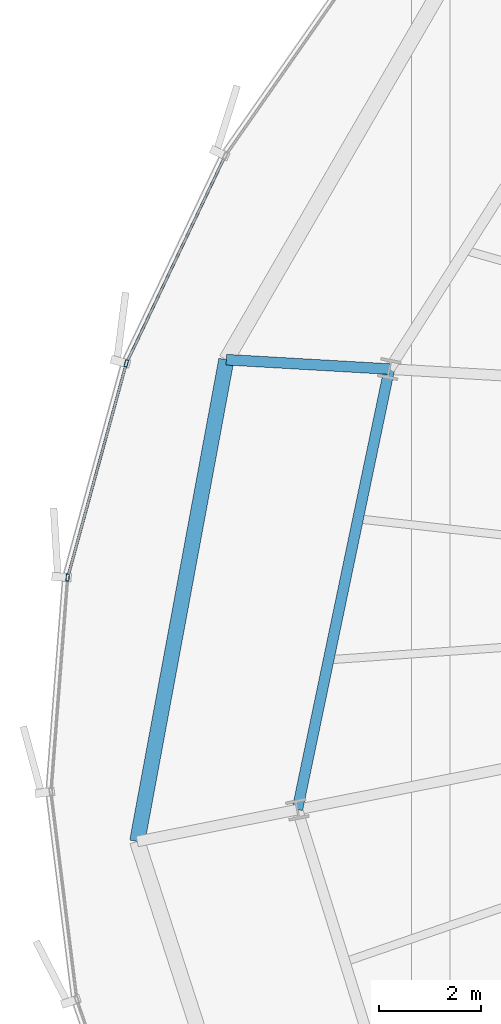
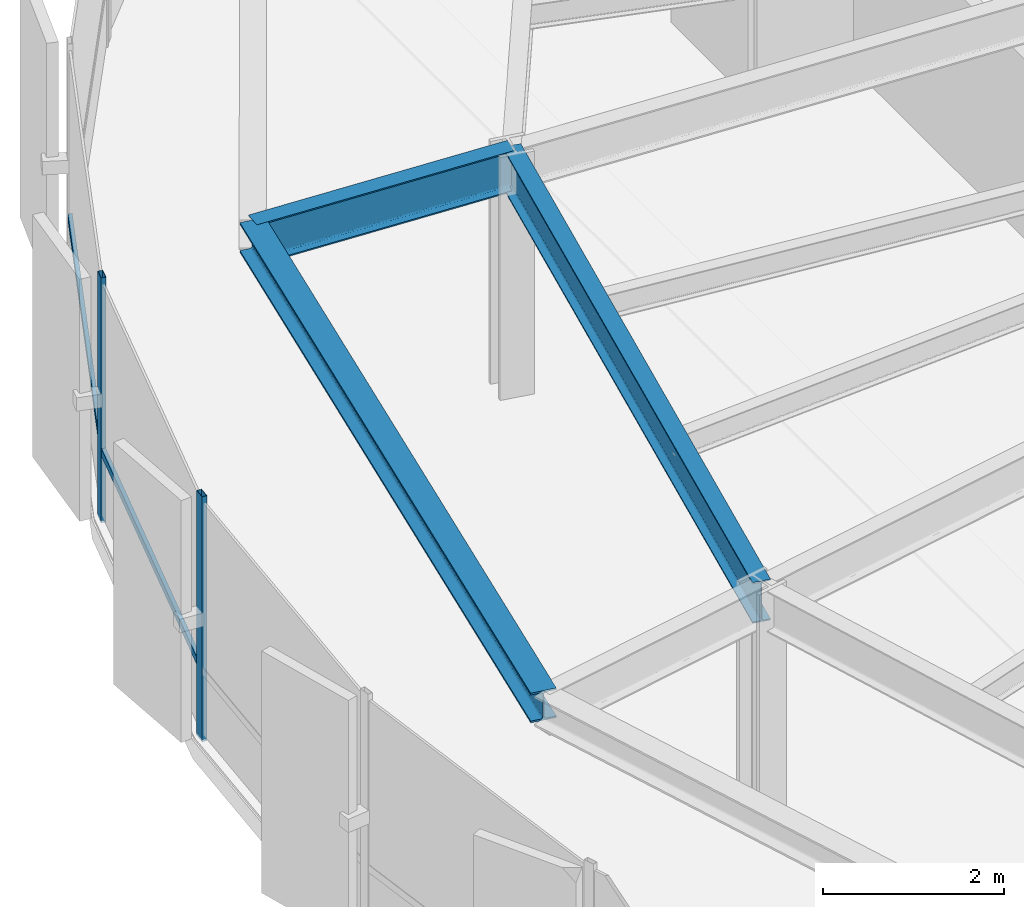
# One storey, part 10 of 35: 4 members, 3 beams, 1 element without a shape of its own.
"""IFC4 building model written with IfcOpenShell, lengths in metres."""

from ifc_helpers import new_model, si_unit, direction, frame, origin, origin_2d, place, context, subcontext, project, spatial, hollow_rectangle, i_section, extrude, source, transform, mapped, material, layer, layer_set, material_profile, profile_set, type_object, element, aggregate, save


model = new_model("IFC4")

# Units and contexts
model_context = context("Model", 3, precision=1e-05, world=origin(), true_north=direction((0.0, 1.0)))
body_context = subcontext(model_context, "Body", "Model", "MODEL_VIEW")
ifc_project = project(units=[si_unit("LENGTHUNIT", "METRE"), si_unit("AREAUNIT", "SQUARE_METRE"), si_unit("VOLUMEUNIT", "CUBIC_METRE"), si_unit("PLANEANGLEUNIT", "RADIAN"), si_unit("MASSUNIT", "GRAM", prefix="KILO"), si_unit("THERMODYNAMICTEMPERATUREUNIT", "KELVIN")], contexts=[model_context])

# Site, building, storey
site_placement = place(None, origin())
site = spatial("IfcSite", under=ifc_project, at=site_placement, CompositionType="ELEMENT")
building_placement = place(site_placement, origin())
building = spatial("IfcBuilding", under=site, at=building_placement, Name="Kethvar Cultural Tower", CompositionType="ELEMENT")
storey_placement = place(building_placement, frame((0.0, 0.0, 135.89990234375)))
storey = spatial("IfcBuildingStorey", under=building, at=storey_placement, Name="L34", CompositionType="ELEMENT", Elevation=135.89990234375)

# Beams
ifc_material_1 = material(Name="Steel S355J2", Category="steel")
ifc_material_profile_1 = material_profile(ifc_material_1, i_section(OverallWidth=0.2099609375, OverallDepth=0.550048828125, WebThickness=0.010986328125, FlangeThickness=0.01708984375, FilletRadius=0.02392578125, at=origin_2d()), Name="Steel S355J2 — IPE550")
ifc_profile_set_1 = profile_set([ifc_material_profile_1], Name="Steel S355J2 — IPE550")
beam_type_1 = type_object("IfcBeamType", Name="BM-IPE550", PredefinedType="BEAM", material=ifc_profile_set_1)
shared_shape_1 = source(origin(), body_context, "Body", "SweptSolid", [
    extrude(i_section(OverallWidth=0.2099609375, OverallDepth=0.550048828125, WebThickness=0.010986328125, FlangeThickness=0.01708984375, FilletRadius=0.02392578125, at=origin_2d()), origin(), (0.0, 0.0, 1.0), 3.2001953125),
])
beam_1_placement = place(storey_placement, frame((25.988525390625, 31.939697265625, 3.023193359375), z_axis=(-0.998357274949, 0.057295301352, 0.0), x_axis=(-0.057295301352, -0.998357274949, 0.0)))
element("IfcBeam", 1, at=beam_1_placement, inside=storey, type_object=beam_type_1, Name="L34 Perimeter Cantilever Beam RC-08", PredefinedType="BEAM", context=body_context, shape_type="MappedRepresentation", body=[
    mapped(shared_shape_1, transform((0.0, 0.0, 0.0), scale=1.0)),
])
shared_shape_2 = source(origin(), body_context, "Body", "SweptSolid", [
    extrude(i_section(OverallWidth=0.2099609375, OverallDepth=0.550048828125, WebThickness=0.010986328125, FlangeThickness=0.01708984375, FilletRadius=0.02392578125, at=origin_2d()), origin(), (0.0, 0.0, 1.0), 8.82421875),
])
beam_2_placement = place(storey_placement, frame((25.988525390625, 31.939697265625, 3.023193359375), z_axis=(-0.204350879122, -0.978897705688, 0.0), x_axis=(0.978897705688, -0.204350879122, 0.0)))
element("IfcBeam", 2, at=beam_2_placement, inside=storey, type_object=beam_type_1, Name="L34 Column Ring Tie Beam CR-08", PredefinedType="BEAM", context=body_context, shape_type="MappedRepresentation", body=[
    mapped(shared_shape_2, transform((0.0, 0.0, 0.0), scale=1.0)),
])
ifc_material_profile_2 = material_profile(ifc_material_1, i_section(OverallWidth=0.300048828125, OverallDepth=0.39990234375, WebThickness=0.013427734375, FlangeThickness=0.02392578125, FilletRadius=0.027099609375, at=origin_2d()), Name="Steel S355J2 — HEB400")
ifc_profile_set_2 = profile_set([ifc_material_profile_2], Name="Steel S355J2 — HEB400")
beam_type_2 = type_object("IfcBeamType", Name="BM-SP400", PredefinedType="SPANDREL", material=ifc_profile_set_2)
shared_shape_3 = source(origin(), body_context, "Body", "SweptSolid", [
    extrude(i_section(OverallWidth=0.300048828125, OverallDepth=0.39990234375, WebThickness=0.013427734375, FlangeThickness=0.02392578125, FilletRadius=0.027099609375, at=origin_2d()), origin(), (0.0, 0.0, 1.0), 9.605712890625),
])
beam_3_placement = place(storey_placement, frame((22.793701171875, 32.123046875, 3.09814453125), z_axis=(-0.1818526217, -0.983325797476, 0.0), x_axis=(0.983325797476, -0.1818526217, 0.0)))
element("IfcBeam", 3, at=beam_3_placement, inside=storey, type_object=beam_type_2, Name="L34 Perimeter Spandrel Beam SP-08", PredefinedType="SPANDREL", context=body_context, shape_type="MappedRepresentation", body=[
    mapped(shared_shape_3, transform((0.0, 0.0, 0.0), scale=1.0)),
])

# Curtain wall, members
ifc_material_2 = material(Name="Aluminium 6063-T6", Category="aluminium")
ifc_layer = layer(ifc_material_2, 0.179931640625, Name="Aluminium 6063-T6", Category="aluminium")
ifc_layer_set = layer_set([ifc_layer], Name="Aluminium 6063-T6 (180 mm)")
curtain_wall_type = type_object("IfcCurtainWallType", Name="CW-SYS-04-Z34", PredefinedType="NOTDEFINED", material=ifc_layer_set)
curtain_wall_placement = place(storey_placement, origin())
curtain_wall = element("IfcCurtainWall", 4, at=curtain_wall_placement, inside=storey, type_object=curtain_wall_type, Name="L34 Curtain Wall Run 03", PredefinedType="NOTDEFINED")
ifc_material_profile_3 = material_profile(ifc_material_2, hollow_rectangle(XDim=0.06005859375, YDim=0.139892578125, WallThickness=0.0048828125, at=origin_2d()), Name="Aluminium 6063-T6 — RHS140x60x5")
ifc_profile_set_3 = profile_set([ifc_material_profile_3], Name="Aluminium 6063-T6 — RHS140x60x5")
member_type_1 = type_object("IfcMemberType", Name="CW-SYS-04-Z34-MUL", PredefinedType="MULLION", material=ifc_profile_set_3)
shared_shape_4 = source(origin(), body_context, "Body", "SweptSolid", [
    extrude(hollow_rectangle(XDim=0.06005859375, YDim=0.139892578125, WallThickness=0.0048828125, at=origin_2d()), origin(), (0.0, 0.0, 1.0), 3.300048828125),
])
member_1_placement = place(storey_placement, frame((20.832275390625, 32.051513671875, 0.0), z_axis=(0.0, 0.0, 1.0), x_axis=(0.964548206963, -0.26390671921, 0.0)))
member_1 = element("IfcMember", 5, at=member_1_placement, type_object=member_type_1, Name="CW-L34-R03 Mullion 3", PredefinedType="MULLION", context=body_context, shape_type="MappedRepresentation", body=[
    mapped(shared_shape_4, transform((0.0, 0.0, 0.0), scale=1.0)),
])
member_2_placement = place(storey_placement, frame((19.681396484375, 27.852294921875, 0.0), z_axis=(0.0, 0.0, 1.0), x_axis=(0.997008399866, -0.07729327653, 0.0)))
member_2 = element("IfcMember", 6, at=member_2_placement, type_object=member_type_1, Name="CW-L34-R03 Mullion 4", PredefinedType="MULLION", context=body_context, shape_type="MappedRepresentation", body=[
    mapped(shared_shape_4, transform((0.0, 0.0, 0.0), scale=1.0)),
])
ifc_material_profile_4 = material_profile(ifc_material_2, hollow_rectangle(XDim=0.050048828125, YDim=0.10009765625, WallThickness=0.00390625, at=origin_2d()), Name="Aluminium 6063-T6 — RHS100x50x4")
ifc_profile_set_4 = profile_set([ifc_material_profile_4], Name="Aluminium 6063-T6 — RHS100x50x4")
member_type_2 = type_object("IfcMemberType", Name="CW-SYS-04-Z34-TRN", PredefinedType="USERDEFINED", material=ifc_profile_set_4)
shared_shape_5 = source(origin(), body_context, "Body", "SweptSolid", [
    extrude(hollow_rectangle(XDim=0.050048828125, YDim=0.10009765625, WallThickness=0.00390625, at=origin_2d()), origin(), (0.0, 0.0, 1.0), 4.44287109375),
])
member_3_placement = place(storey_placement, frame((22.753662109375, 36.083740234375, 0.9501953125), z_axis=(-0.429831190966, -0.902909268572, 0.0), x_axis=(0.902909268572, -0.429831190966, 0.0)))
member_3 = element("IfcMember", 7, at=member_3_placement, type_object=member_type_2, Name="CW-L34-R03 Transom 2", ObjectType="TRANSOM", PredefinedType="USERDEFINED", context=body_context, shape_type="MappedRepresentation", body=[
    mapped(shared_shape_5, transform((0.0, 0.0, 0.0), scale=1.0)),
])
shared_shape_6 = source(origin(), body_context, "Body", "SweptSolid", [
    extrude(hollow_rectangle(XDim=0.050048828125, YDim=0.10009765625, WallThickness=0.00390625, at=origin_2d()), origin(), (0.0, 0.0, 1.0), 4.288330078125),
])
member_4_placement = place(storey_placement, frame((20.82080078125, 32.009765625, 0.9501953125), z_axis=(-0.263883287299, -0.964554617782, 0.0), x_axis=(0.964554617782, -0.263883287299, 0.0)))
member_4 = element("IfcMember", 8, at=member_4_placement, type_object=member_type_2, Name="CW-L34-R03 Transom 3", ObjectType="TRANSOM", PredefinedType="USERDEFINED", context=body_context, shape_type="MappedRepresentation", body=[
    mapped(shared_shape_6, transform((0.0, 0.0, 0.0), scale=1.0)),
])
aggregate(curtain_wall, [member_1, member_2, member_3, member_4])

save(model, "model.ifc")
